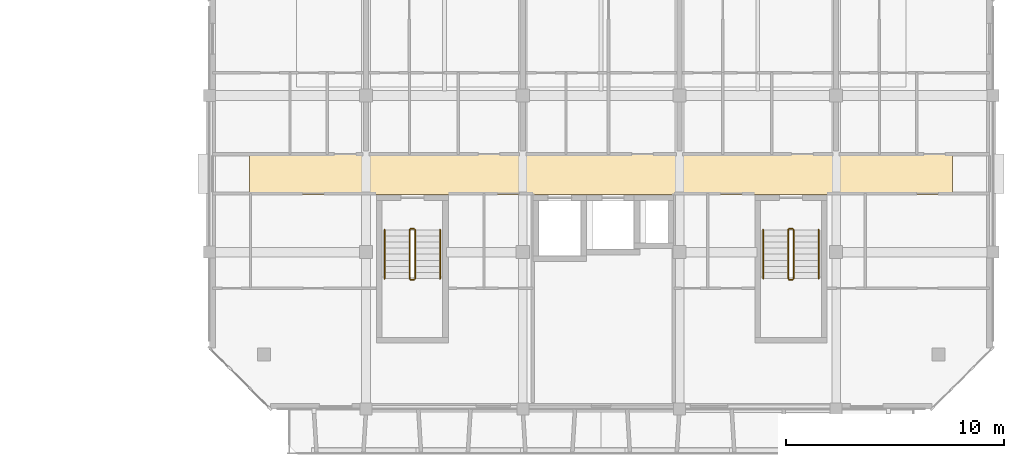
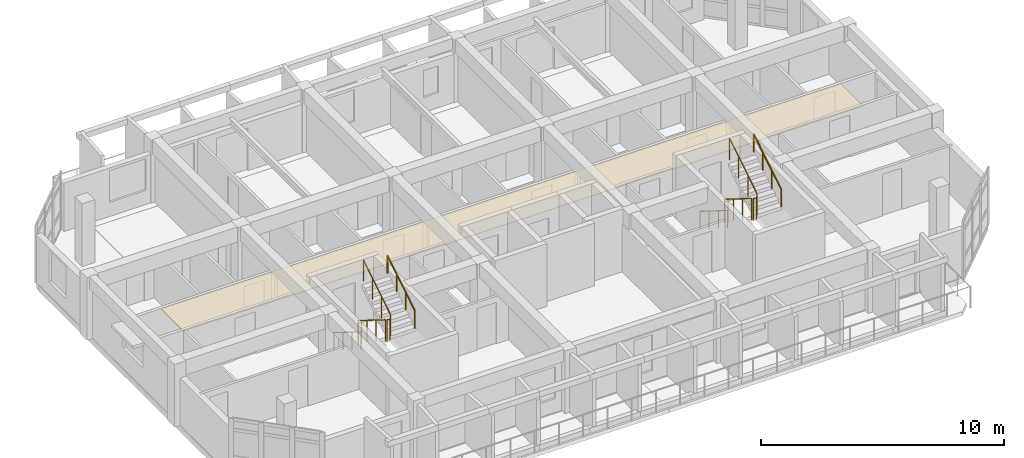
# One storey, part 42 of 43: 12 railings, 1 covering.
"""IFC4 building model written with IfcOpenShell, lengths in metres."""

from ifc_helpers import new_model, si_unit, direction, frame, origin, origin_2d, place, context, subcontext, project, spatial, polyline, circle, outline, extrude, material, layer, layer_set, type_object, element, save


model = new_model("IFC4")

# Units and contexts
model_context = context("Model", 3, precision=1e-05, world=origin(), true_north=direction((0.0, 1.0)))
body_context = subcontext(model_context, "Body", "Model", "MODEL_VIEW")
ifc_project = project(units=[si_unit("LENGTHUNIT", "METRE"), si_unit("AREAUNIT", "SQUARE_METRE"), si_unit("VOLUMEUNIT", "CUBIC_METRE"), si_unit("PLANEANGLEUNIT", "RADIAN"), si_unit("MASSUNIT", "GRAM", prefix="KILO")], contexts=[model_context])

# Site, building, storey
site_placement = place(None, origin())
site = spatial("IfcSite", under=ifc_project, at=site_placement, CompositionType="ELEMENT")
building_placement = place(site_placement, origin())
building = spatial("IfcBuilding", under=site, at=building_placement, Name="Ochrevale Crest", CompositionType="ELEMENT")
storey_placement = place(building_placement, frame((0.0, 0.0, 15.0)))
storey = spatial("IfcBuildingStorey", under=building, at=storey_placement, Name="L04", CompositionType="ELEMENT", Elevation=15.0)

# Covering
ifc_material_1 = material(Name="Gypsum plasterboard", Category="gypsum")
ifc_layer = layer(ifc_material_1, 0.02490234375)
ifc_layer_set = layer_set([ifc_layer], Name="Gypsum plasterboard")
covering_type = type_object("IfcCoveringType", Name="COV-CEIL-GYP", PredefinedType="CEILING", material=ifc_layer_set)
covering_placement = place(storey_placement, frame((0.0, 0.0, 2.280029296875)))
element("IfcCovering", 1, at=covering_placement, inside=storey, type_object=covering_type, Name="Block D L04 acoustic corridor ceiling", PredefinedType="CEILING", context=body_context, shape_type="SweptSolid", body=[
    extrude(outline(polyline([(131.449951171875, 81.860107421875), (163.75, 81.860107421875), (163.75, 83.739990234375), (131.449951171875, 83.739990234375), (131.449951171875, 81.860107421875)])), origin(), (0.0, 0.0, 1.0), 0.02490234375),
])

# Railings
ifc_material_2 = material(Name="Galvanised steel", Category="steel")
railing_type_1 = type_object("IfcRailingType", Name="RL-ST-GUARD", PredefinedType="BALUSTRADE", material=ifc_material_2)
railing_1_placement = place(storey_placement, frame((138.800048828125, 80.22509765625, 0.175048828125)))
element("IfcRailing", 2, at=railing_1_placement, inside=storey, type_object=railing_type_1, Name="L04 ST-D1 stair guard 1", PredefinedType="BALUSTRADE", context=body_context, shape_type="SweptSolid", body=[
    extrude(circle(Radius=0.02392578125, at=origin_2d()), frame((0.0, 0.0, 1.076171875), z_axis=(0.0, -0.848013881152, 0.529974015752), x_axis=(1.0, 0.0, 0.0)), (0.0, 0.0, 1.0), 2.641357421875),
    extrude(circle(Radius=0.02099609375, at=origin_2d()), origin(), (0.0, 0.0, 1.0), 1.052001953125),
    extrude(circle(Radius=0.02099609375, at=origin_2d()), frame((0.0, -0.74658203125, 0.466552734375)), (0.0, 0.0, 1.0), 1.052001953125),
    extrude(circle(Radius=0.02099609375, at=origin_2d()), frame((0.0, -1.493408203125, 0.933349609375)), (0.0, 0.0, 1.0), 1.052001953125),
    extrude(circle(Radius=0.02099609375, at=origin_2d()), frame((0.0, -2.239990234375, 1.39990234375)), (0.0, 0.0, 1.0), 1.052001953125),
])
railing_2_placement = place(storey_placement, frame((138.85009765625, 77.93505859375, 1.574951171875)))
element("IfcRailing", 3, at=railing_2_placement, inside=storey, type_object=railing_type_1, Name="L04 ST-D1 stair guard 2", PredefinedType="BALUSTRADE", context=body_context, shape_type="SweptSolid", body=[
    extrude(circle(Radius=0.02392578125, at=origin_2d()), frame((0.0, 0.0, 1.076171875), z_axis=(1.0, 0.0, 0.0), x_axis=(0.0, 1.0, 0.0)), (0.0, 0.0, 1.0), 0.14990234375),
    extrude(circle(Radius=0.02099609375, at=origin_2d()), origin(), (0.0, 0.0, 1.0), 1.052001953125),
    extrude(circle(Radius=0.02099609375, at=origin_2d()), frame((0.14990234375, 0.0, 0.0)), (0.0, 0.0, 1.0), 1.052001953125),
])
railing_3_placement = place(storey_placement, frame((139.050048828125, 77.985107421875, 1.75)))
element("IfcRailing", 4, at=railing_3_placement, inside=storey, type_object=railing_type_1, Name="L04 ST-D1 stair guard 3", PredefinedType="BALUSTRADE", context=body_context, shape_type="SweptSolid", body=[
    extrude(circle(Radius=0.02392578125, at=origin_2d()), frame((0.0, 0.0, 1.076171875), z_axis=(0.0, 0.848013881152, 0.529974015752), x_axis=(-1.0, 0.0, 0.0)), (0.0, 0.0, 1.0), 2.641357421875),
    extrude(circle(Radius=0.02099609375, at=origin_2d()), origin(), (0.0, 0.0, 1.0), 1.052001953125),
    extrude(circle(Radius=0.02099609375, at=origin_2d()), frame((0.0, 0.74658203125, 0.466552734375)), (0.0, 0.0, 1.0), 1.052001953125),
    extrude(circle(Radius=0.02099609375, at=origin_2d()), frame((0.0, 1.493408203125, 0.933349609375)), (0.0, 0.0, 1.0), 1.052001953125),
    extrude(circle(Radius=0.02099609375, at=origin_2d()), frame((0.0, 2.239990234375, 1.39990234375)), (0.0, 0.0, 1.0), 1.052001953125),
])
railing_4_placement = place(storey_placement, frame((138.85009765625, 80.27490234375, 0.0)))
element("IfcRailing", 5, at=railing_4_placement, inside=storey, type_object=railing_type_1, Name="L04 ST-D1 stair guard 4", PredefinedType="BALUSTRADE", context=body_context, shape_type="SweptSolid", body=[
    extrude(circle(Radius=0.02392578125, at=origin_2d()), frame((0.0, 0.0, 1.076171875), z_axis=(1.0, 0.0, 0.0), x_axis=(0.0, 1.0, 0.0)), (0.0, 0.0, 1.0), 0.14990234375),
    extrude(circle(Radius=0.02099609375, at=origin_2d()), origin(), (0.0, 0.0, 1.0), 1.052001953125),
    extrude(circle(Radius=0.02099609375, at=origin_2d()), frame((0.14990234375, 0.0, 0.0)), (0.0, 0.0, 1.0), 1.052001953125),
])
railing_5_placement = place(storey_placement, frame((156.199951171875, 80.22509765625, 0.175048828125)))
element("IfcRailing", 6, at=railing_5_placement, inside=storey, type_object=railing_type_1, Name="L04 ST-D2 stair guard 1", PredefinedType="BALUSTRADE", context=body_context, shape_type="SweptSolid", body=[
    extrude(circle(Radius=0.02392578125, at=origin_2d()), frame((0.0, 0.0, 1.076171875), z_axis=(0.0, -0.848013881152, 0.529974015752), x_axis=(1.0, 0.0, 0.0)), (0.0, 0.0, 1.0), 2.641357421875),
    extrude(circle(Radius=0.02099609375, at=origin_2d()), origin(), (0.0, 0.0, 1.0), 1.052001953125),
    extrude(circle(Radius=0.02099609375, at=origin_2d()), frame((0.0, -0.74658203125, 0.466552734375)), (0.0, 0.0, 1.0), 1.052001953125),
    extrude(circle(Radius=0.02099609375, at=origin_2d()), frame((0.0, -1.493408203125, 0.933349609375)), (0.0, 0.0, 1.0), 1.052001953125),
    extrude(circle(Radius=0.02099609375, at=origin_2d()), frame((0.0, -2.239990234375, 1.39990234375)), (0.0, 0.0, 1.0), 1.052001953125),
])
railing_6_placement = place(storey_placement, frame((156.25, 77.93505859375, 1.574951171875)))
element("IfcRailing", 7, at=railing_6_placement, inside=storey, type_object=railing_type_1, Name="L04 ST-D2 stair guard 2", PredefinedType="BALUSTRADE", context=body_context, shape_type="SweptSolid", body=[
    extrude(circle(Radius=0.02392578125, at=origin_2d()), frame((0.0, 0.0, 1.076171875), z_axis=(1.0, 0.0, 0.0), x_axis=(0.0, 1.0, 0.0)), (0.0, 0.0, 1.0), 0.14990234375),
    extrude(circle(Radius=0.02099609375, at=origin_2d()), origin(), (0.0, 0.0, 1.0), 1.052001953125),
    extrude(circle(Radius=0.02099609375, at=origin_2d()), frame((0.14990234375, 0.0, 0.0)), (0.0, 0.0, 1.0), 1.052001953125),
])
railing_7_placement = place(storey_placement, frame((156.449951171875, 77.985107421875, 1.75)))
element("IfcRailing", 8, at=railing_7_placement, inside=storey, type_object=railing_type_1, Name="L04 ST-D2 stair guard 3", PredefinedType="BALUSTRADE", context=body_context, shape_type="SweptSolid", body=[
    extrude(circle(Radius=0.02392578125, at=origin_2d()), frame((0.0, 0.0, 1.076171875), z_axis=(0.0, 0.848013881152, 0.529974015752), x_axis=(-1.0, 0.0, 0.0)), (0.0, 0.0, 1.0), 2.641357421875),
    extrude(circle(Radius=0.02099609375, at=origin_2d()), origin(), (0.0, 0.0, 1.0), 1.052001953125),
    extrude(circle(Radius=0.02099609375, at=origin_2d()), frame((0.0, 0.74658203125, 0.466552734375)), (0.0, 0.0, 1.0), 1.052001953125),
    extrude(circle(Radius=0.02099609375, at=origin_2d()), frame((0.0, 1.493408203125, 0.933349609375)), (0.0, 0.0, 1.0), 1.052001953125),
    extrude(circle(Radius=0.02099609375, at=origin_2d()), frame((0.0, 2.239990234375, 1.39990234375)), (0.0, 0.0, 1.0), 1.052001953125),
])
railing_8_placement = place(storey_placement, frame((156.25, 80.27490234375, 0.0)))
element("IfcRailing", 9, at=railing_8_placement, inside=storey, type_object=railing_type_1, Name="L04 ST-D2 stair guard 4", PredefinedType="BALUSTRADE", context=body_context, shape_type="SweptSolid", body=[
    extrude(circle(Radius=0.02392578125, at=origin_2d()), frame((0.0, 0.0, 1.076171875), z_axis=(1.0, 0.0, 0.0), x_axis=(0.0, 1.0, 0.0)), (0.0, 0.0, 1.0), 0.14990234375),
    extrude(circle(Radius=0.02099609375, at=origin_2d()), origin(), (0.0, 0.0, 1.0), 1.052001953125),
    extrude(circle(Radius=0.02099609375, at=origin_2d()), frame((0.14990234375, 0.0, 0.0)), (0.0, 0.0, 1.0), 1.052001953125),
])
ifc_material_3 = material(Name="Stainless steel", Category="steel")
railing_type_2 = type_object("IfcRailingType", Name="RL-ST-HRAIL", PredefinedType="HANDRAIL", material=ifc_material_3)
railing_9_placement = place(storey_placement, frame((137.64990234375, 80.22509765625, 0.175048828125)))
element("IfcRailing", 10, at=railing_9_placement, inside=storey, type_object=railing_type_2, Name="L04 ST-D1 stair handrail 1", PredefinedType="HANDRAIL", context=body_context, shape_type="SweptSolid", body=[
    extrude(circle(Radius=0.02392578125, at=origin_2d()), frame((0.0, 0.0, 0.8759765625), z_axis=(0.0, -0.848013881152, 0.529974015752), x_axis=(1.0, 0.0, 0.0)), (0.0, 0.0, 1.0), 2.641357421875),
    extrude(circle(Radius=0.02099609375, at=origin_2d()), origin(), (0.0, 0.0, 1.0), 0.851806640625),
    extrude(circle(Radius=0.02099609375, at=origin_2d()), frame((0.0, -0.74658203125, 0.466552734375)), (0.0, 0.0, 1.0), 0.851806640625),
    extrude(circle(Radius=0.02099609375, at=origin_2d()), frame((0.0, -1.493408203125, 0.933349609375)), (0.0, 0.0, 1.0), 0.851806640625),
    extrude(circle(Radius=0.02099609375, at=origin_2d()), frame((0.0, -2.239990234375, 1.39990234375)), (0.0, 0.0, 1.0), 0.851806640625),
])
railing_10_placement = place(storey_placement, frame((140.199951171875, 77.985107421875, 1.75)))
element("IfcRailing", 11, at=railing_10_placement, inside=storey, type_object=railing_type_2, Name="L04 ST-D1 stair handrail 2", PredefinedType="HANDRAIL", context=body_context, shape_type="SweptSolid", body=[
    extrude(circle(Radius=0.02392578125, at=origin_2d()), frame((0.0, 0.0, 0.8759765625), z_axis=(0.0, 0.848013881152, 0.529974015752), x_axis=(-1.0, 0.0, 0.0)), (0.0, 0.0, 1.0), 2.641357421875),
    extrude(circle(Radius=0.02099609375, at=origin_2d()), origin(), (0.0, 0.0, 1.0), 0.851806640625),
    extrude(circle(Radius=0.02099609375, at=origin_2d()), frame((0.0, 0.74658203125, 0.466552734375)), (0.0, 0.0, 1.0), 0.851806640625),
    extrude(circle(Radius=0.02099609375, at=origin_2d()), frame((0.0, 1.493408203125, 0.933349609375)), (0.0, 0.0, 1.0), 0.851806640625),
    extrude(circle(Radius=0.02099609375, at=origin_2d()), frame((0.0, 2.239990234375, 1.39990234375)), (0.0, 0.0, 1.0), 0.851806640625),
])
railing_11_placement = place(storey_placement, frame((155.050048828125, 80.22509765625, 0.175048828125)))
element("IfcRailing", 12, at=railing_11_placement, inside=storey, type_object=railing_type_2, Name="L04 ST-D2 stair handrail 1", PredefinedType="HANDRAIL", context=body_context, shape_type="SweptSolid", body=[
    extrude(circle(Radius=0.02392578125, at=origin_2d()), frame((0.0, 0.0, 0.8759765625), z_axis=(0.0, -0.848013881152, 0.529974015752), x_axis=(1.0, 0.0, 0.0)), (0.0, 0.0, 1.0), 2.641357421875),
    extrude(circle(Radius=0.02099609375, at=origin_2d()), origin(), (0.0, 0.0, 1.0), 0.851806640625),
    extrude(circle(Radius=0.02099609375, at=origin_2d()), frame((0.0, -0.74658203125, 0.466552734375)), (0.0, 0.0, 1.0), 0.851806640625),
    extrude(circle(Radius=0.02099609375, at=origin_2d()), frame((0.0, -1.493408203125, 0.933349609375)), (0.0, 0.0, 1.0), 0.851806640625),
    extrude(circle(Radius=0.02099609375, at=origin_2d()), frame((0.0, -2.239990234375, 1.39990234375)), (0.0, 0.0, 1.0), 0.851806640625),
])
railing_12_placement = place(storey_placement, frame((157.60009765625, 77.985107421875, 1.75)))
element("IfcRailing", 13, at=railing_12_placement, inside=storey, type_object=railing_type_2, Name="L04 ST-D2 stair handrail 2", PredefinedType="HANDRAIL", context=body_context, shape_type="SweptSolid", body=[
    extrude(circle(Radius=0.02392578125, at=origin_2d()), frame((0.0, 0.0, 0.8759765625), z_axis=(0.0, 0.848013881152, 0.529974015752), x_axis=(-1.0, 0.0, 0.0)), (0.0, 0.0, 1.0), 2.641357421875),
    extrude(circle(Radius=0.02099609375, at=origin_2d()), origin(), (0.0, 0.0, 1.0), 0.851806640625),
    extrude(circle(Radius=0.02099609375, at=origin_2d()), frame((0.0, 0.74658203125, 0.466552734375)), (0.0, 0.0, 1.0), 0.851806640625),
    extrude(circle(Radius=0.02099609375, at=origin_2d()), frame((0.0, 1.493408203125, 0.933349609375)), (0.0, 0.0, 1.0), 0.851806640625),
    extrude(circle(Radius=0.02099609375, at=origin_2d()), frame((0.0, 2.239990234375, 1.39990234375)), (0.0, 0.0, 1.0), 0.851806640625),
])

save(model, "model.ifc")
